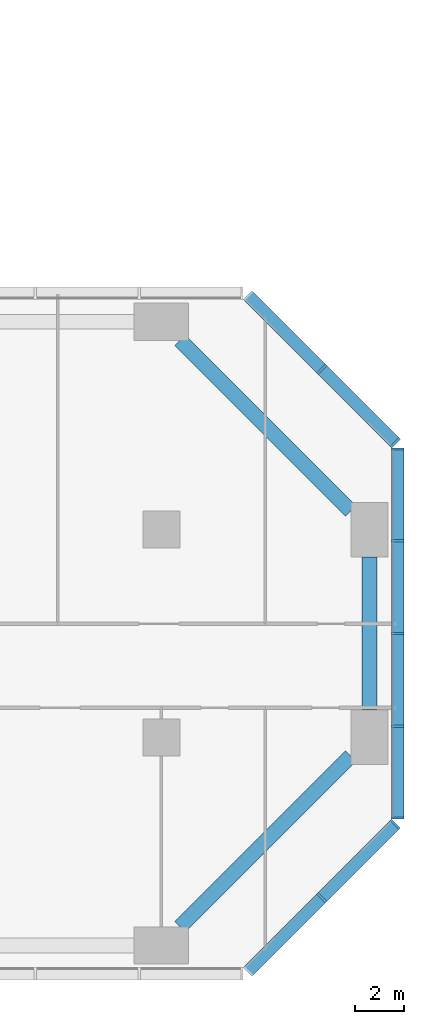
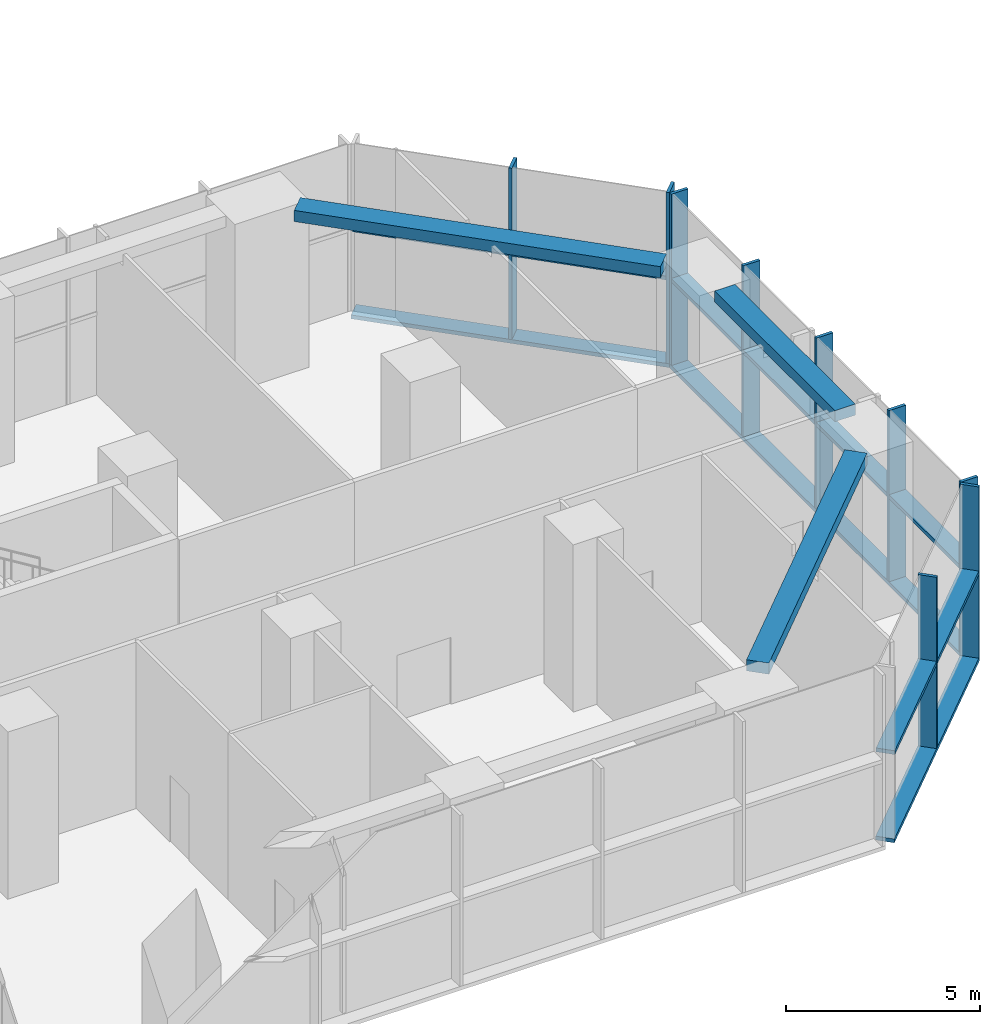
# One storey, part 4 of 16: 20 members, 3 beams, 3 elements without a shape of their own.
"""IFC4 building model written with IfcOpenShell, lengths in metres."""

from ifc_helpers import new_model, si_unit, direction, frame, origin, origin_2d, place, context, subcontext, project, spatial, rectangle, extrude, material, material_profile, profile_set, type_object, element, aggregate, save


model = new_model("IFC4")

# Units and contexts
model_context = context("Model", 3, precision=1e-05, world=origin(), true_north=direction((0.0, 1.0)))
body_context = subcontext(model_context, "Body", "Model", "MODEL_VIEW")
ifc_project = project(units=[si_unit("LENGTHUNIT", "METRE"), si_unit("AREAUNIT", "SQUARE_METRE"), si_unit("VOLUMEUNIT", "CUBIC_METRE"), si_unit("PLANEANGLEUNIT", "RADIAN"), si_unit("MASSUNIT", "GRAM", prefix="KILO")], contexts=[model_context])

# Site, building, storey
site_placement = place(None, origin())
site = spatial("IfcSite", under=ifc_project, at=site_placement, CompositionType="ELEMENT")
building_placement = place(site_placement, origin())
building = spatial("IfcBuilding", under=site, at=building_placement, Name="Brevane Broadcast Tower", CompositionType="ELEMENT")
storey_placement = place(building_placement, frame((0.0, 0.0, 7.0)))
storey = spatial("IfcBuildingStorey", under=building, at=storey_placement, Name="L01", CompositionType="ELEMENT", Elevation=7.0)

# Curtain wall, members
ifc_material_1 = material(Name="Aluminium 6063-T6 bronze anodised", Category="aluminium")
curtain_wall_type = type_object("IfcCurtainWallType", Name="CW-2 curtain wall", PredefinedType="NOTDEFINED", material=ifc_material_1)
curtain_wall_1_placement = place(storey_placement, origin())
curtain_wall_1 = element("IfcCurtainWall", 1, at=curtain_wall_1_placement, inside=storey, type_object=curtain_wall_type, Name="CW-2 podium base unit L01 south-east chamfer", PredefinedType="NOTDEFINED")
ifc_material_profile_1 = material_profile(ifc_material_1, rectangle(XDim=0.5, YDim=0.090087890625, at=origin_2d()), Name="RECT 90x500")
ifc_profile_set_1 = profile_set([ifc_material_profile_1], Name="Aluminium 6063-T6 bronze anodised")
member_type_1 = type_object("IfcMemberType", Name="CW-2 mullion 90x500", PredefinedType="MULLION", material=ifc_profile_set_1)
member_1_placement = place(storey_placement, frame((65.27685546875, 1.92333984375, -0.1298828125), z_axis=(0.0, 0.0, 1.0), x_axis=(-0.707106781187, 0.707106781187, 0.0)))
member_1 = element("IfcMember", 2, at=member_1_placement, type_object=member_type_1, Name="CW-2 mullion", PredefinedType="MULLION", context=body_context, shape_type="SweptSolid", body=[
    extrude(rectangle(XDim=0.5, YDim=0.090087890625, at=origin_2d()), origin(), (0.0, 0.0, 1.0), 5.3798828125),
])
member_2_placement = place(storey_placement, frame((68.244873046875, 4.891357421875, -0.1298828125), z_axis=(0.0, 0.0, 1.0), x_axis=(-0.707106781187, 0.707106781187, 0.0)))
member_2 = element("IfcMember", 3, at=member_2_placement, type_object=member_type_1, Name="CW-2 mullion", PredefinedType="MULLION", context=body_context, shape_type="SweptSolid", body=[
    extrude(rectangle(XDim=0.5, YDim=0.090087890625, at=origin_2d()), origin(), (0.0, 0.0, 1.0), 5.3798828125),
])

curtain_wall_2_placement = place(storey_placement, origin())
curtain_wall_2 = element("IfcCurtainWall", 4, at=curtain_wall_2_placement, inside=storey, type_object=curtain_wall_type, Name="CW-2 podium base unit L01 east end", PredefinedType="NOTDEFINED")
member_3_placement = place(storey_placement, frame((68.35009765625, 5.14501953125, -0.1298828125), z_axis=(0.0, 0.0, 1.0), x_axis=(-1.0, 0.0, 0.0)))
member_3 = element("IfcMember", 5, at=member_3_placement, type_object=member_type_1, Name="CW-2 mullion", PredefinedType="MULLION", context=body_context, shape_type="SweptSolid", body=[
    extrude(rectangle(XDim=0.5, YDim=0.090087890625, at=origin_2d()), origin(), (0.0, 0.0, 1.0), 5.3798828125),
])
member_4_placement = place(storey_placement, frame((68.35009765625, 8.85009765625, -0.1298828125), z_axis=(0.0, 0.0, 1.0), x_axis=(-1.0, 0.0, 0.0)))
member_4 = element("IfcMember", 6, at=member_4_placement, type_object=member_type_1, Name="CW-2 mullion", PredefinedType="MULLION", context=body_context, shape_type="SweptSolid", body=[
    extrude(rectangle(XDim=0.5, YDim=0.090087890625, at=origin_2d()), origin(), (0.0, 0.0, 1.0), 5.3798828125),
])
member_5_placement = place(storey_placement, frame((68.35009765625, 12.60009765625, -0.1298828125), z_axis=(0.0, 0.0, 1.0), x_axis=(-1.0, 0.0, 0.0)))
member_5 = element("IfcMember", 7, at=member_5_placement, type_object=member_type_1, Name="CW-2 mullion", PredefinedType="MULLION", context=body_context, shape_type="SweptSolid", body=[
    extrude(rectangle(XDim=0.5, YDim=0.090087890625, at=origin_2d()), origin(), (0.0, 0.0, 1.0), 5.3798828125),
])
member_6_placement = place(storey_placement, frame((68.35009765625, 16.35009765625, -0.1298828125), z_axis=(0.0, 0.0, 1.0), x_axis=(-1.0, 0.0, 0.0)))
member_6 = element("IfcMember", 8, at=member_6_placement, type_object=member_type_1, Name="CW-2 mullion", PredefinedType="MULLION", context=body_context, shape_type="SweptSolid", body=[
    extrude(rectangle(XDim=0.5, YDim=0.090087890625, at=origin_2d()), origin(), (0.0, 0.0, 1.0), 5.3798828125),
])
member_7_placement = place(storey_placement, frame((68.35009765625, 20.054931640625, -0.1298828125), z_axis=(0.0, 0.0, 1.0), x_axis=(-1.0, 0.0, 0.0)))
member_7 = element("IfcMember", 9, at=member_7_placement, type_object=member_type_1, Name="CW-2 mullion", PredefinedType="MULLION", context=body_context, shape_type="SweptSolid", body=[
    extrude(rectangle(XDim=0.5, YDim=0.090087890625, at=origin_2d()), origin(), (0.0, 0.0, 1.0), 5.3798828125),
])

curtain_wall_3_placement = place(storey_placement, origin())
curtain_wall_3 = element("IfcCurtainWall", 10, at=curtain_wall_3_placement, inside=storey, type_object=curtain_wall_type, Name="CW-2 podium base unit L01 north-east chamfer", PredefinedType="NOTDEFINED")
member_8_placement = place(storey_placement, frame((68.244873046875, 20.30859375, -0.1298828125), z_axis=(0.0, 0.0, 1.0), x_axis=(-0.707106781187, -0.707106781187, 0.0)))
member_8 = element("IfcMember", 11, at=member_8_placement, type_object=member_type_1, Name="CW-2 mullion", PredefinedType="MULLION", context=body_context, shape_type="SweptSolid", body=[
    extrude(rectangle(XDim=0.5, YDim=0.090087890625, at=origin_2d()), origin(), (0.0, 0.0, 1.0), 5.3798828125),
])
member_9_placement = place(storey_placement, frame((65.27685546875, 23.27685546875, -0.1298828125), z_axis=(0.0, 0.0, 1.0), x_axis=(-0.707106781187, -0.707106781187, 0.0)))
member_9 = element("IfcMember", 12, at=member_9_placement, type_object=member_type_1, Name="CW-2 mullion", PredefinedType="MULLION", context=body_context, shape_type="SweptSolid", body=[
    extrude(rectangle(XDim=0.5, YDim=0.090087890625, at=origin_2d()), origin(), (0.0, 0.0, 1.0), 5.3798828125),
])

# Member
ifc_material_profile_2 = material_profile(ifc_material_1, rectangle(XDim=0.5, YDim=0.1201171875, at=origin_2d()), Name="RECT 120x500")
ifc_profile_set_2 = profile_set([ifc_material_profile_2], Name="Aluminium 6063-T6 bronze anodised")
member_type_2 = type_object("IfcMemberType", Name="CW-2 transom 120x500", PredefinedType="USERDEFINED", material=ifc_profile_set_2)
member_10_placement = place(storey_placement, frame((62.27685546875, -1.07666015625, -0.18994140625), z_axis=(0.707106781187, 0.707106781187, 0.0), x_axis=(-0.707106781187, 0.707106781187, 0.0)))
member_10 = element("IfcMember", 13, at=member_10_placement, type_object=member_type_2, Name="CW-2 transom", ObjectType="TRANSOM", PredefinedType="USERDEFINED", context=body_context, shape_type="SweptSolid", body=[
    extrude(rectangle(XDim=0.5, YDim=0.1201171875, at=origin_2d()), origin(), (0.0, 0.0, 1.0), 8.4853515625),
])

member_11_placement = place(storey_placement, frame((62.30859375, -1.044921875, 2.550048828125), z_axis=(0.707106781187, 0.707106781187, 0.0), x_axis=(-0.707106781187, 0.707106781187, 0.0)))
member_11 = element("IfcMember", 14, at=member_11_placement, type_object=member_type_2, Name="CW-2 transom", ObjectType="TRANSOM", PredefinedType="USERDEFINED", context=body_context, shape_type="SweptSolid", body=[
    extrude(rectangle(XDim=0.5, YDim=0.1201171875, at=origin_2d()), origin(), (0.0, 0.0, 1.0), 4.152587890625),
])

member_12_placement = place(storey_placement, frame((65.30859375, 1.955078125, 2.550048828125), z_axis=(0.707106781187, 0.707106781187, 0.0), x_axis=(-0.707106781187, 0.707106781187, 0.0)))
member_12 = element("IfcMember", 15, at=member_12_placement, type_object=member_type_2, Name="CW-2 transom", ObjectType="TRANSOM", PredefinedType="USERDEFINED", context=body_context, shape_type="SweptSolid", body=[
    extrude(rectangle(XDim=0.5, YDim=0.1201171875, at=origin_2d()), origin(), (0.0, 0.0, 1.0), 4.152587890625),
])

aggregate(curtain_wall_1, [member_1, member_2, member_10, member_11, member_12])

member_13_placement = place(storey_placement, frame((68.35009765625, 5.10009765625, -0.18994140625), z_axis=(0.0, 1.0, 0.0), x_axis=(-1.0, 0.0, 0.0)))
member_13 = element("IfcMember", 16, at=member_13_placement, type_object=member_type_2, Name="CW-2 transom", ObjectType="TRANSOM", PredefinedType="USERDEFINED", context=body_context, shape_type="SweptSolid", body=[
    extrude(rectangle(XDim=0.5, YDim=0.1201171875, at=origin_2d()), origin(), (0.0, 0.0, 1.0), 15.0),
])

member_14_placement = place(storey_placement, frame((68.35009765625, 5.14501953125, 2.550048828125), z_axis=(0.0, 1.0, 0.0), x_axis=(-1.0, 0.0, 0.0)))
member_14 = element("IfcMember", 17, at=member_14_placement, type_object=member_type_2, Name="CW-2 transom", ObjectType="TRANSOM", PredefinedType="USERDEFINED", context=body_context, shape_type="SweptSolid", body=[
    extrude(rectangle(XDim=0.5, YDim=0.1201171875, at=origin_2d()), origin(), (0.0, 0.0, 1.0), 3.659912109375),
])

member_15_placement = place(storey_placement, frame((68.35009765625, 8.89501953125, 2.550048828125), z_axis=(0.0, 1.0, 0.0), x_axis=(-1.0, 0.0, 0.0)))
member_15 = element("IfcMember", 18, at=member_15_placement, type_object=member_type_2, Name="CW-2 transom", ObjectType="TRANSOM", PredefinedType="USERDEFINED", context=body_context, shape_type="SweptSolid", body=[
    extrude(rectangle(XDim=0.5, YDim=0.1201171875, at=origin_2d()), origin(), (0.0, 0.0, 1.0), 3.659912109375),
])

member_16_placement = place(storey_placement, frame((68.35009765625, 12.64501953125, 2.550048828125), z_axis=(0.0, 1.0, 0.0), x_axis=(-1.0, 0.0, 0.0)))
member_16 = element("IfcMember", 19, at=member_16_placement, type_object=member_type_2, Name="CW-2 transom", ObjectType="TRANSOM", PredefinedType="USERDEFINED", context=body_context, shape_type="SweptSolid", body=[
    extrude(rectangle(XDim=0.5, YDim=0.1201171875, at=origin_2d()), origin(), (0.0, 0.0, 1.0), 3.659912109375),
])

member_17_placement = place(storey_placement, frame((68.35009765625, 16.39501953125, 2.550048828125), z_axis=(0.0, 1.0, 0.0), x_axis=(-1.0, 0.0, 0.0)))
member_17 = element("IfcMember", 20, at=member_17_placement, type_object=member_type_2, Name="CW-2 transom", ObjectType="TRANSOM", PredefinedType="USERDEFINED", context=body_context, shape_type="SweptSolid", body=[
    extrude(rectangle(XDim=0.5, YDim=0.1201171875, at=origin_2d()), origin(), (0.0, 0.0, 1.0), 3.659912109375),
])

aggregate(curtain_wall_2, [member_3, member_4, member_5, member_6, member_7, member_13, member_14, member_15, member_16, member_17])

member_18_placement = place(storey_placement, frame((68.27685546875, 20.27685546875, -0.18994140625), z_axis=(-0.707106781187, 0.707106781187, 0.0), x_axis=(-0.707106781187, -0.707106781187, 0.0)))
member_18 = element("IfcMember", 21, at=member_18_placement, type_object=member_type_2, Name="CW-2 transom", ObjectType="TRANSOM", PredefinedType="USERDEFINED", context=body_context, shape_type="SweptSolid", body=[
    extrude(rectangle(XDim=0.5, YDim=0.1201171875, at=origin_2d()), origin(), (0.0, 0.0, 1.0), 8.4853515625),
])

member_19_placement = place(storey_placement, frame((68.244873046875, 20.30859375, 2.550048828125), z_axis=(-0.707106781187, 0.707106781187, 0.0), x_axis=(-0.707106781187, -0.707106781187, 0.0)))
member_19 = element("IfcMember", 22, at=member_19_placement, type_object=member_type_2, Name="CW-2 transom", ObjectType="TRANSOM", PredefinedType="USERDEFINED", context=body_context, shape_type="SweptSolid", body=[
    extrude(rectangle(XDim=0.5, YDim=0.1201171875, at=origin_2d()), origin(), (0.0, 0.0, 1.0), 4.152587890625),
])

member_20_placement = place(storey_placement, frame((65.244873046875, 23.30859375, 2.550048828125), z_axis=(-0.707106781187, 0.707106781187, 0.0), x_axis=(-0.707106781187, -0.707106781187, 0.0)))
member_20 = element("IfcMember", 23, at=member_20_placement, type_object=member_type_2, Name="CW-2 transom", ObjectType="TRANSOM", PredefinedType="USERDEFINED", context=body_context, shape_type="SweptSolid", body=[
    extrude(rectangle(XDim=0.5, YDim=0.1201171875, at=origin_2d()), origin(), (0.0, 0.0, 1.0), 4.152587890625),
])

aggregate(curtain_wall_3, [member_8, member_9, member_18, member_19, member_20])

# Beams
ifc_material_2 = material(Name="Concrete C40/50", Category="concrete")
ifc_material_profile_3 = material_profile(ifc_material_2, rectangle(XDim=0.60009765625, YDim=0.35009765625, at=origin_2d()), Name="RC 600x350")
ifc_profile_set_3 = profile_set([ifc_material_profile_3], Name="Concrete C40/50")
beam_type = type_object("IfcBeamType", Name="RC SPANDREL BEAM 600x350 C40/50", PredefinedType="SPANDREL", material=ifc_profile_set_3)
beam_1_placement = place(storey_placement, frame((59.550048828125, 0.75, 5.074951171875), z_axis=(0.707106781187, 0.707106781187, 0.0), x_axis=(-0.707106781187, 0.707106781187, 0.0)))
element("IfcBeam", 24, at=beam_1_placement, inside=storey, type_object=beam_type, Name="EB1 L01-5", PredefinedType="SPANDREL", context=body_context, shape_type="SweptSolid", body=[
    extrude(rectangle(XDim=0.60009765625, YDim=0.35009765625, at=origin_2d()), origin(), (0.0, 0.0, 1.0), 9.758056640625),
])
beam_2_placement = place(storey_placement, frame((67.199951171875, 9.5, 5.074951171875), z_axis=(0.0, 1.0, 0.0), x_axis=(-1.0, 0.0, 0.0)))
element("IfcBeam", 25, at=beam_2_placement, inside=storey, type_object=beam_type, Name="EB1 L01-6", PredefinedType="SPANDREL", context=body_context, shape_type="SweptSolid", body=[
    extrude(rectangle(XDim=0.60009765625, YDim=0.35009765625, at=origin_2d()), origin(), (0.0, 0.0, 1.0), 6.199951171875),
])
beam_3_placement = place(storey_placement, frame((66.449951171875, 17.550048828125, 5.074951171875), z_axis=(-0.707106781187, 0.707106781187, 0.0), x_axis=(-0.707106781187, -0.707106781187, 0.0)))
element("IfcBeam", 26, at=beam_3_placement, inside=storey, type_object=beam_type, Name="EB1 L01-7", PredefinedType="SPANDREL", context=body_context, shape_type="SweptSolid", body=[
    extrude(rectangle(XDim=0.60009765625, YDim=0.35009765625, at=origin_2d()), origin(), (0.0, 0.0, 1.0), 9.758056640625),
])

save(model, "model.ifc")
